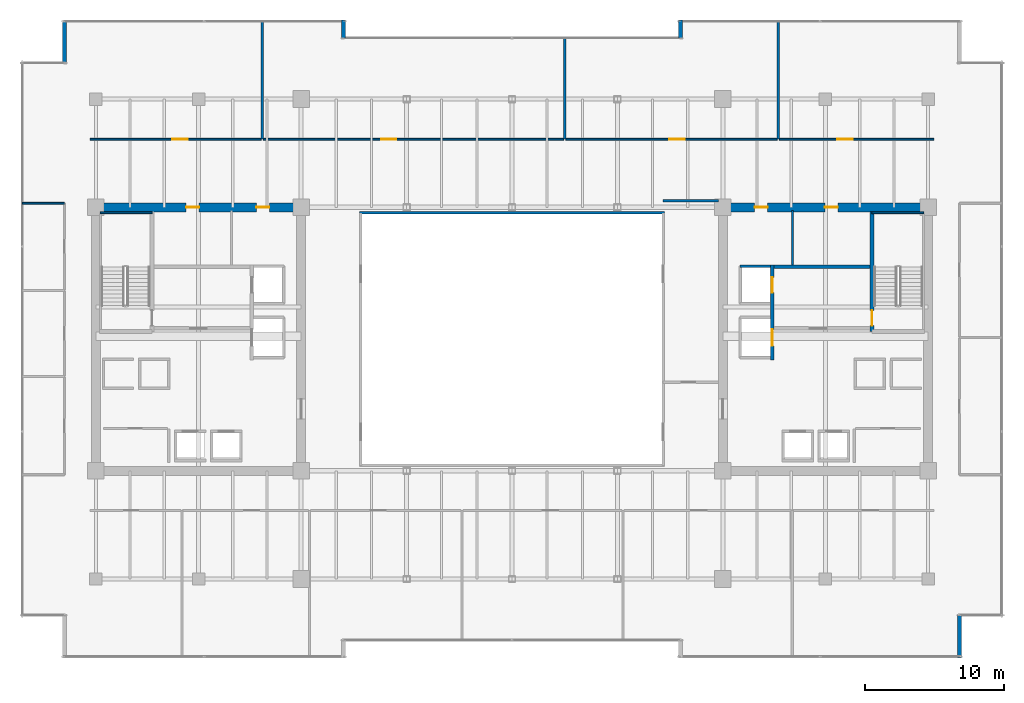
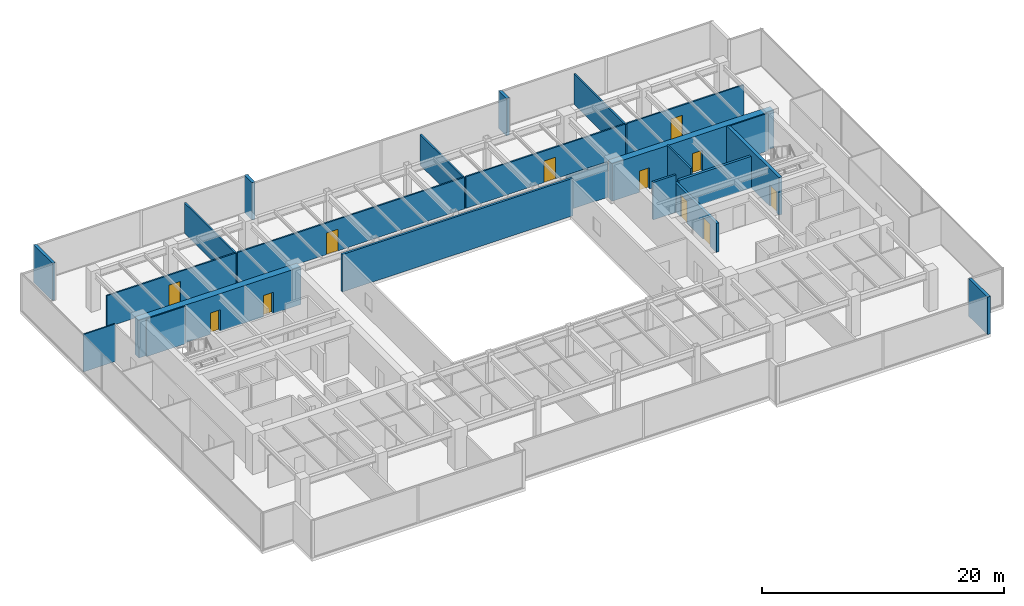
# One storey, part 27 of 30: 23 walls, 11 doors, 11 openings.
"""IFC4 building model written with IfcOpenShell, lengths in metres."""

from ifc_helpers import new_model, si_unit, direction, frame, frame_2d, origin, place, context, subcontext, project, spatial, rectangle, extrude, source, transform, mapped, material, layer, layer_set, type_object, type_shapes, element, fill, save


model = new_model("IFC4")

# Units and contexts
model_context = context("Model", 3, precision=1e-05, world=origin(), true_north=direction((0.0, 1.0)))
body_context = subcontext(model_context, "Body", "Model", "MODEL_VIEW")
ifc_project = project(units=[si_unit("LENGTHUNIT", "METRE"), si_unit("AREAUNIT", "SQUARE_METRE"), si_unit("VOLUMEUNIT", "CUBIC_METRE"), si_unit("PLANEANGLEUNIT", "RADIAN"), si_unit("MASSUNIT", "GRAM", prefix="KILO")], contexts=[model_context])

# Site, building, storey
site_placement = place(None, origin())
site = spatial("IfcSite", under=ifc_project, at=site_placement, CompositionType="ELEMENT")
building_placement = place(site_placement, origin())
building = spatial("IfcBuilding", under=site, at=building_placement, Name="Haelvirn Gate Laboratories", CompositionType="ELEMENT")
storey_placement = place(building_placement, frame((0.0, 0.0, 162.5)))
storey = spatial("IfcBuildingStorey", under=building, at=storey_placement, Name="L39", CompositionType="ELEMENT", Elevation=162.5)

# Walls
ifc_material_1 = material(Name="Thermally-broken bronze aluminium rainscreen & mineral wool", Category="aluminium")
ifc_layer_1 = layer(ifc_material_1, 0.280029296875, Name="EW-TERR-280")
ifc_layer_set_1 = layer_set([ifc_layer_1], Name="Thermally-broken bronze aluminium rainscreen & mineral wool")
wall_type_1 = type_object("IfcWallType", Name="EW-TERR-280", PredefinedType="STANDARD", material=ifc_layer_set_1)
wall_1_placement = place(storey_placement, frame((69.659912109375, 1.300048828125, 0.0), z_axis=(0.0, 0.0, 1.0), x_axis=(0.0, 1.0, 0.0)))
element("IfcWall", 1, at=wall_1_placement, inside=storey, type_object=wall_type_1, Name="L39 Atrium Recess Bronze Return Wall 05", PredefinedType="STANDARD", context=body_context, shape_type="SweptSolid", body=[
    extrude(rectangle(XDim=3.087890625, YDim=0.280029296875, at=frame_2d((1.5439453125, 0.0))), origin(), (0.0, 0.0, 1.0), 3.7900390625),
])
for number, where, z_axis, x_axis, name in (
    (2, (49.5400390625, 47.300048828125, 0.0), (0.0, 0.0, 1.0), (0.0, -1.0, 0.0), "L39 Atrium Recess Bronze Return Wall 11"),
    (3, (25.260009765625, 46.011962890625, 0.0), (0.0, 0.0, 1.0), (0.0, 1.0, 0.0), "L39 Atrium Recess Bronze Return Wall 13"),
):
    element("IfcWall", number, at=place(storey_placement, frame(where, z_axis=z_axis, x_axis=x_axis)), inside=storey, type_object=wall_type_1, Name=name, PredefinedType="STANDARD", context=body_context, shape_type="SweptSolid", body=[
        extrude(rectangle(XDim=1.2880859375, YDim=0.280029296875, at=frame_2d((0.64404296875, 0.0))), origin(), (0.0, 0.0, 1.0), 3.7900390625),
    ])
wall_2_placement = place(storey_placement, frame((5.139892578125, 47.300048828125, 0.0), z_axis=(0.0, 0.0, 1.0), x_axis=(0.0, -1.0, 0.0)))
element("IfcWall", 4, at=wall_2_placement, inside=storey, type_object=wall_type_1, Name="L39 Atrium Recess Bronze Return Wall 15", PredefinedType="STANDARD", context=body_context, shape_type="SweptSolid", body=[
    extrude(rectangle(XDim=3.088134765625, YDim=0.280029296875, at=frame_2d((1.5439453125, 0.0))), origin(), (0.0, 0.0, 1.0), 3.7900390625),
])
ifc_material_2 = material(Name="Double-layer acoustic gypsum laboratory partition", Category="gypsum")
ifc_layer_2 = layer(ifc_material_2, 0.159912109375, Name="IW-ACOUST-160")
ifc_layer_set_2 = layer_set([ifc_layer_2], Name="Double-layer acoustic gypsum laboratory partition")
wall_type_2 = type_object("IfcWallType", Name="IW-ACOUST-160", PredefinedType="PARTITIONING", material=ifc_layer_set_2)
wall_3_placement = place(storey_placement, frame((19.39990234375, 38.705078125, 0.0), z_axis=(0.0, 0.0, 1.0), x_axis=(0.0, 1.0, 0.0)))
element("IfcWall", 5, at=wall_3_placement, inside=storey, type_object=wall_type_2, Name="L39 Interior Wall IW-L39-NDIV-01", PredefinedType="PARTITIONING", context=body_context, shape_type="SweptSolid", body=[
    extrude(rectangle(XDim=8.48486328125, YDim=0.159912109375, at=frame_2d((4.242431640625, 0.0))), origin(), (0.0, 0.0, 1.0), 3.074951171875),
])
wall_4_placement = place(storey_placement, frame((41.199951171875, 38.705078125, 0.0), z_axis=(0.0, 0.0, 1.0), x_axis=(0.0, 1.0, 0.0)))
element("IfcWall", 6, at=wall_4_placement, inside=storey, type_object=wall_type_2, Name="L39 Interior Wall IW-L39-NDIV-02", PredefinedType="PARTITIONING", context=body_context, shape_type="SweptSolid", body=[
    extrude(rectangle(XDim=7.284912109375, YDim=0.159912109375, at=frame_2d((3.642578125, 0.0))), origin(), (0.0, 0.0, 1.0), 3.074951171875),
])
wall_5_placement = place(storey_placement, frame((56.60009765625, 38.705078125, 0.0), z_axis=(0.0, 0.0, 1.0), x_axis=(0.0, 1.0, 0.0)))
element("IfcWall", 7, at=wall_5_placement, inside=storey, type_object=wall_type_2, Name="L39 Interior Wall IW-L39-NDIV-03", PredefinedType="PARTITIONING", context=body_context, shape_type="SweptSolid", body=[
    extrude(rectangle(XDim=8.48486328125, YDim=0.159912109375, at=frame_2d((4.242431640625, 0.0))), origin(), (0.0, 0.0, 1.0), 3.074951171875),
])
ifc_material_3 = material(Name="Fire-rated acoustic gypsum board partition", Category="gypsum")
ifc_layer_3 = layer(ifc_material_3, 0.175048828125, Name="IW-ACOUST-180")
ifc_layer_set_3 = layer_set([ifc_layer_3], Name="Fire-rated acoustic gypsum board partition")
wall_type_3 = type_object("IfcWallType", Name="IW-ACOUST-180", PredefinedType="PARTITIONING", material=ifc_layer_set_3)
wall_6_placement = place(storey_placement, frame((48.300048828125, 34.260009765625, 0.0), z_axis=(0.0, 0.0, 1.0), x_axis=(1.0, 0.0, 0.0)))
element("IfcWall", 8, at=wall_6_placement, inside=storey, type_object=wall_type_3, Name="L39 Interior Wall IW-L39-ASEM-N", PredefinedType="PARTITIONING", context=body_context, shape_type="SweptSolid", body=[
    extrude(rectangle(XDim=3.974853515625, YDim=0.175048828125, at=frame_2d((1.9873046875, 0.0))), origin(), (0.0, 0.0, 1.0), 3.47509765625),
])
ifc_material_4 = material(Name="Tempered fire-rated borosilicate glass & anodised aluminium", Category="aluminium")
ifc_layer_4 = layer(ifc_material_4, 0.195068359375, Name="IW-GLAZ-200")
ifc_layer_set_4 = layer_set([ifc_layer_4], Name="Tempered fire-rated borosilicate glass & anodised aluminium")
wall_type_4 = type_object("IfcWallType", Name="IW-GLAZ-200", PredefinedType="SOLIDWALL", material=ifc_layer_set_4)
wall_7_placement = place(storey_placement, frame((26.39990234375, 33.39990234375, 0.0), z_axis=(0.0, 0.0, 1.0), x_axis=(1.0, 0.0, 0.0)))
element("IfcWall", 9, at=wall_7_placement, inside=storey, type_object=wall_type_4, Name="L39 Interior Wall IW-L39-ATRIUM-N", PredefinedType="SOLIDWALL", context=body_context, shape_type="SweptSolid", body=[
    extrude(rectangle(XDim=22.0, YDim=0.195068359375, at=frame_2d((11.0, 0.0))), origin(), (0.0, 0.0, 1.0), 3.7900390625),
])
ifc_material_5 = material(Name="Lightweight acoustic gypsum board partition", Category="gypsum")
ifc_layer_5 = layer(ifc_material_5, 0.1201171875, Name="IW-PART-120")
ifc_layer_set_5 = layer_set([ifc_layer_5], Name="Lightweight acoustic gypsum board partition")
wall_type_5 = type_object("IfcWallType", Name="IW-PART-120", PredefinedType="PARTITIONING", material=ifc_layer_set_5)
wall_8_placement = place(storey_placement, frame((2.110107421875, 34.0849609375, 0.0), z_axis=(0.0, 0.0, 1.0), x_axis=(1.0, 0.0, 0.0)))
element("IfcWall", 10, at=wall_8_placement, inside=storey, type_object=wall_type_5, Name="L39 Interior Wall IW-L39-WCAP-N", PredefinedType="PARTITIONING", context=body_context, shape_type="SweptSolid", body=[
    extrude(rectangle(XDim=3.019775390625, YDim=0.1201171875, at=frame_2d((1.509765625, 0.0))), origin(), (0.0, 0.0, 1.0), 3.7900390625),
])

# Wall, opening, door
ifc_material_6 = material(Name="Acoustic mineral-wool gypsum board partition", Category="gypsum")
ifc_layer_6 = layer(ifc_material_6, 0.139892578125, Name="IW-PART-140")
ifc_layer_set_6 = layer_set([ifc_layer_6], Name="Acoustic mineral-wool gypsum board partition")
wall_type_6 = type_object("IfcWallType", Name="IW-PART-140", PredefinedType="PARTITIONING", material=ifc_layer_set_6)
wall_9_placement = place(storey_placement, frame((6.97998046875, 38.705078125, 0.0), z_axis=(0.0, 0.0, 1.0), x_axis=(1.0, 0.0, 0.0)))
wall_9 = element("IfcWall", 11, at=wall_9_placement, inside=storey, type_object=wall_type_6, Name="L39 Interior Wall IW-L39-NCORR-01", PredefinedType="PARTITIONING", context=body_context, shape_type="SweptSolid", body=[
    extrude(rectangle(XDim=12.340087890625, YDim=0.139892578125, at=frame_2d((6.169921875, 0.0))), origin(), (0.0, 0.0, 1.0), 3.18701171875),
])
opening_1_placement = place(wall_9_placement, frame((5.936279296875, 0.0, 0.0)))
opening_1 = element("IfcOpeningElement", 12, at=opening_1_placement, cuts=wall_9, Name="Opening D1", PredefinedType="OPENING", context=body_context, shape_type="SweptSolid", body=[
    extrude(rectangle(XDim=1.10009765625, YDim=2.179931640625, at=frame_2d((0.550048828125, 1.08984375))), frame((0.0, 0.080078125, 0.0), z_axis=(0.0, -1.0, 0.0), x_axis=(1.0, 0.0, 0.0)), (0.0, 0.0, 1.0), 0.159912109375),
])
ifc_material_7 = material(Name="Vision-panel acoustic solid-core timber lab door", Category="wood")
door_type_1 = type_object("IfcDoorType", Name="DR-LAB-1100", OperationType="NOTDEFINED", PredefinedType="DOOR", material=ifc_material_7)
shared_shape_1 = source(origin(), body_context, "Body", "SweptSolid", [
    extrude(rectangle(XDim=1.10009765625, YDim=2.179931640625, at=frame_2d((0.550048828125, 1.08984375))), frame((0.0, 0.02490234375, 0.0), z_axis=(0.0, -1.0, 0.0), x_axis=(1.0, 0.0, 0.0)), (0.0, 0.0, 1.0), 0.050048828125),
])
type_shapes(door_type_1, [shared_shape_1])
door_1_placement = place(opening_1_placement, origin())
door_1 = element("IfcDoor", 13, at=door_1_placement, inside=storey, type_object=door_type_1, Name="L39 Analytical Instrument Suite Door N1", OperationType="SINGLE_SWING_LEFT", OverallHeight=2.179931640625, OverallWidth=1.10009765625, PredefinedType="DOOR", context=body_context, shape_type="MappedRepresentation", body=[
    mapped(shared_shape_1, transform((0.0, 0.0, 0.0), scale=1.0)),
])
fill(opening_1, door_1)

wall_10_placement = place(storey_placement, frame((19.47998046875, 38.705078125, 0.0), z_axis=(0.0, 0.0, 1.0), x_axis=(1.0, 0.0, 0.0)))
wall_10 = element("IfcWall", 14, at=wall_10_placement, inside=storey, type_object=wall_type_6, Name="L39 Interior Wall IW-L39-NCORR-02", PredefinedType="PARTITIONING", context=body_context, shape_type="SweptSolid", body=[
    extrude(rectangle(XDim=21.64013671875, YDim=0.139892578125, at=frame_2d((10.820068359375, 0.0))), origin(), (0.0, 0.0, 1.0), 3.18701171875),
])
opening_2_placement = place(wall_10_placement, frame((8.484375, 0.0, 0.0)))
opening_2 = element("IfcOpeningElement", 15, at=opening_2_placement, cuts=wall_10, Name="Opening D1", PredefinedType="OPENING", context=body_context, shape_type="SweptSolid", body=[
    extrude(rectangle(XDim=1.10009765625, YDim=2.179931640625, at=frame_2d((0.550048828125, 1.08984375))), frame((0.0, 0.080078125, 0.0), z_axis=(0.0, -1.0, 0.0), x_axis=(1.0, 0.0, 0.0)), (0.0, 0.0, 1.0), 0.159912109375),
])
door_2_placement = place(opening_2_placement, origin())
door_2 = element("IfcDoor", 16, at=door_2_placement, inside=storey, type_object=door_type_1, Name="L39 Cleanroom Metrology Suite Door N2", OperationType="SINGLE_SWING_RIGHT", OverallHeight=2.179931640625, OverallWidth=1.10009765625, PredefinedType="DOOR", context=body_context, shape_type="MappedRepresentation", body=[
    mapped(shared_shape_1, transform((0.0, 0.0, 0.0), scale=1.0)),
])
fill(opening_2, door_2)

wall_11_placement = place(storey_placement, frame((41.280029296875, 38.705078125, 0.0), z_axis=(0.0, 0.0, 1.0), x_axis=(1.0, 0.0, 0.0)))
wall_11 = element("IfcWall", 17, at=wall_11_placement, inside=storey, type_object=wall_type_6, Name="L39 Interior Wall IW-L39-NCORR-03", PredefinedType="PARTITIONING", context=body_context, shape_type="SweptSolid", body=[
    extrude(rectangle(XDim=15.239990234375, YDim=0.139892578125, at=frame_2d((7.6201171875, 0.0))), origin(), (0.0, 0.0, 1.0), 3.18701171875),
])
opening_3_placement = place(wall_11_placement, frame((7.47314453125, 0.0, 0.0)))
opening_3 = element("IfcOpeningElement", 18, at=opening_3_placement, cuts=wall_11, Name="Opening D1", PredefinedType="OPENING", context=body_context, shape_type="SweptSolid", body=[
    extrude(rectangle(XDim=1.10009765625, YDim=2.179931640625, at=frame_2d((0.550048828125, 1.08984375))), frame((0.0, 0.080078125, 0.0), z_axis=(0.0, -1.0, 0.0), x_axis=(1.0, 0.0, 0.0)), (0.0, 0.0, 1.0), 0.159912109375),
])
door_3_placement = place(opening_3_placement, origin())
door_3 = element("IfcDoor", 19, at=door_3_placement, inside=storey, type_object=door_type_1, Name="L39 Researcher Break Pantry Door N3", OperationType="SINGLE_SWING_LEFT", OverallHeight=2.179931640625, OverallWidth=1.10009765625, PredefinedType="DOOR", context=body_context, shape_type="MappedRepresentation", body=[
    mapped(shared_shape_1, transform((0.0, 0.0, 0.0), scale=1.0)),
])
fill(opening_3, door_3)

wall_12_placement = place(storey_placement, frame((56.679931640625, 38.705078125, 0.0), z_axis=(0.0, 0.0, 1.0), x_axis=(1.0, 0.0, 0.0)))
wall_12 = element("IfcWall", 20, at=wall_12_placement, inside=storey, type_object=wall_type_6, Name="L39 Interior Wall IW-L39-NCORR-04", PredefinedType="PARTITIONING", context=body_context, shape_type="SweptSolid", body=[
    extrude(rectangle(XDim=11.14013671875, YDim=0.139892578125, at=frame_2d((5.570068359375, 0.0))), origin(), (0.0, 0.0, 1.0), 3.18701171875),
])
opening_4_placement = place(wall_12_placement, frame((4.179443359375, 0.0, 0.0)))
opening_4 = element("IfcOpeningElement", 21, at=opening_4_placement, cuts=wall_12, Name="Opening D1", PredefinedType="OPENING", context=body_context, shape_type="SweptSolid", body=[
    extrude(rectangle(XDim=1.10009765625, YDim=2.179931640625, at=frame_2d((0.550048828125, 1.08984375))), frame((0.0, 0.080078125, 0.0), z_axis=(0.0, -1.0, 0.0), x_axis=(1.0, 0.0, 0.0)), (0.0, 0.0, 1.0), 0.159912109375),
])
door_4_placement = place(opening_4_placement, origin())
door_4 = element("IfcDoor", 22, at=door_4_placement, inside=storey, type_object=door_type_1, Name="L39 Floor Hydration & Tea Servery Door N4", OperationType="SINGLE_SWING_RIGHT", OverallHeight=2.179931640625, OverallWidth=1.10009765625, PredefinedType="DOOR", context=body_context, shape_type="MappedRepresentation", body=[
    mapped(shared_shape_1, transform((0.0, 0.0, 0.0), scale=1.0)),
])
fill(opening_4, door_4)

# Walls
ifc_material_8 = material(Name="Cement-board restroom plumbing chase wall", Category="gypsum")
ifc_layer_7 = layer(ifc_material_8, 0.155029296875, Name="IW-PLUMB-160")
ifc_layer_set_7 = layer_set([ifc_layer_7], Name="Cement-board restroom plumbing chase wall")
wall_type_7 = type_object("IfcWallType", Name="IW-PLUMB-160", PredefinedType="PLUMBINGWALL", material=ifc_layer_set_7)
wall_13_placement = place(storey_placement, frame((57.610107421875, 29.64990234375, 0.0), z_axis=(0.0, 0.0, 1.0), x_axis=(0.0, 1.0, 0.0)))
element("IfcWall", 23, at=wall_13_placement, inside=storey, type_object=wall_type_7, Name="L39 Interior Wall IW-L39-E-CDIV-1", PredefinedType="PLUMBINGWALL", context=body_context, shape_type="SweptSolid", body=[
    extrude(rectangle(XDim=3.93017578125, YDim=0.155029296875, at=frame_2d((1.965087890625, 0.0))), origin(), (0.0, 0.0, 1.0), 3.7900390625),
])
ifc_material_9 = material(Name="Concrete C40/50", Category="concrete")
ifc_layer_8 = layer(ifc_material_9, 0.199951171875, Name="IW-SHAFT-200")
ifc_layer_set_8 = layer_set([ifc_layer_8], Name="Concrete C40/50")
wall_type_8 = type_object("IfcWallType", Name="IW-SHAFT-200", PredefinedType="SOLIDWALL", material=ifc_layer_set_8)
wall_14_placement = place(storey_placement, frame((53.85009765625, 29.550048828125, 0.0), z_axis=(0.0, 0.0, 1.0), x_axis=(1.0, 0.0, 0.0)))
element("IfcWall", 24, at=wall_14_placement, inside=storey, type_object=wall_type_8, Name="L39 Interior Wall IW-L39-FL2-N", PredefinedType="SOLIDWALL", context=body_context, shape_type="SweptSolid", body=[
    extrude(rectangle(XDim=2.18994140625, YDim=0.199951171875, at=frame_2d((1.094970703125, 0.0))), origin(), (0.0, 0.0, 1.0), 3.7900390625),
])
ifc_layer_9 = layer(ifc_material_9, 0.239990234375, Name="IW-SHAFT-240")
ifc_layer_set_9 = layer_set([ifc_layer_9], Name="Concrete C40/50")
wall_type_9 = type_object("IfcWallType", Name="IW-SHAFT-240", PredefinedType="SOLIDWALL", material=ifc_layer_set_9)
wall_15_placement = place(storey_placement, frame((56.280029296875, 29.52001953125, 0.0), z_axis=(0.0, 0.0, 1.0), x_axis=(1.0, 0.0, 0.0)))
element("IfcWall", 25, at=wall_15_placement, inside=storey, type_object=wall_type_9, Name="L39 Interior Wall IW-L39-E-FF-N", PredefinedType="SOLIDWALL", context=body_context, shape_type="SweptSolid", body=[
    extrude(rectangle(XDim=6.919921875, YDim=0.239990234375, at=frame_2d((3.4599609375, 0.0))), origin(), (0.0, 0.0, 1.0), 3.18701171875),
])

# Wall, openings, doors
wall_16_placement = place(storey_placement, frame((56.159912109375, 22.800048828125, 0.0), z_axis=(0.0, 0.0, 1.0), x_axis=(0.0, 1.0, 0.0)))
wall_16 = element("IfcWall", 26, at=wall_16_placement, inside=storey, type_object=wall_type_9, Name="L39 Interior Wall IW-L39-E-FF-E", PredefinedType="SOLIDWALL", context=body_context, shape_type="SweptSolid", body=[
    extrude(rectangle(XDim=6.849853515625, YDim=0.239990234375, at=frame_2d((3.4248046875, 0.0))), origin(), (0.0, 0.0, 1.0), 2.925048828125),
])
opening_5_placement = place(wall_16_placement, frame((4.85009765625, 0.0, 0.0)))
opening_5 = element("IfcOpeningElement", 27, at=opening_5_placement, cuts=wall_16, Name="Opening LD2", PredefinedType="OPENING", context=body_context, shape_type="SweptSolid", body=[
    extrude(rectangle(XDim=1.10009765625, YDim=2.219970703125, at=frame_2d((0.550048828125, 1.10986328125))), frame((0.0, 0.1298828125, 0.0), z_axis=(0.0, -1.0, 0.0), x_axis=(1.0, 0.0, 0.0)), (0.0, 0.0, 1.0), 0.260009765625),
])
opening_6_placement = place(wall_16_placement, frame((1.0, 0.0, 0.0)))
opening_6 = element("IfcOpeningElement", 28, at=opening_6_placement, cuts=wall_16, Name="Opening LD1", PredefinedType="OPENING", context=body_context, shape_type="SweptSolid", body=[
    extrude(rectangle(XDim=1.199951171875, YDim=2.219970703125, at=frame_2d((0.60009765625, 1.10986328125))), frame((0.0, 0.1298828125, 0.0), z_axis=(0.0, -1.0, 0.0), x_axis=(1.0, 0.0, 0.0)), (0.0, 0.0, 1.0), 0.260009765625),
])
ifc_material_10 = material(Name="Bronze stainless 316L sliding lift landing door")
door_type_2 = type_object("IfcDoorType", Name="DR-LD-1100", OperationType="NOTDEFINED", PredefinedType="USERDEFINED", material=ifc_material_10)
shared_shape_2 = source(origin(), body_context, "Body", "SweptSolid", [
    extrude(rectangle(XDim=1.10009765625, YDim=2.219970703125, at=frame_2d((0.550048828125, 1.10986328125))), frame((0.0, 0.02490234375, 0.0), z_axis=(0.0, -1.0, 0.0), x_axis=(1.0, 0.0, 0.0)), (0.0, 0.0, 1.0), 0.050048828125),
])
type_shapes(door_type_2, [shared_shape_2])
door_5_placement = place(opening_5_placement, origin())
door_5 = element("IfcDoor", 29, at=door_5_placement, inside=storey, type_object=door_type_2, Name="L39 Firefighting Lift FL2 Landing Door", ObjectType="LANDING_DOOR", OperationType="SLIDING_TO_RIGHT", OverallHeight=2.219970703125, OverallWidth=1.10009765625, PredefinedType="USERDEFINED", context=body_context, shape_type="MappedRepresentation", body=[
    mapped(shared_shape_2, transform((0.0, 0.0, 0.0), scale=1.0)),
])
fill(opening_5, door_5)
ifc_material_11 = material(Name="Stainless steel 316L sliding goods landing door", Category="steel")
door_type_3 = type_object("IfcDoorType", Name="DR-LD-1200", OperationType="NOTDEFINED", PredefinedType="USERDEFINED", material=ifc_material_11)
shared_shape_3 = source(origin(), body_context, "Body", "SweptSolid", [
    extrude(rectangle(XDim=1.199951171875, YDim=2.219970703125, at=frame_2d((0.60009765625, 1.10986328125))), frame((0.0, 0.02490234375, 0.0), z_axis=(0.0, -1.0, 0.0), x_axis=(1.0, 0.0, 0.0)), (0.0, 0.0, 1.0), 0.050048828125),
])
type_shapes(door_type_3, [shared_shape_3])
door_6_placement = place(opening_6_placement, origin())
door_6 = element("IfcDoor", 30, at=door_6_placement, inside=storey, type_object=door_type_3, Name="L39 Service Lift SL2 Landing Door", ObjectType="LANDING_DOOR", OperationType="SLIDING_TO_LEFT", OverallHeight=2.219970703125, OverallWidth=1.199951171875, PredefinedType="USERDEFINED", context=body_context, shape_type="MappedRepresentation", body=[
    mapped(shared_shape_3, transform((0.0, 0.0, 0.0), scale=1.0)),
])
fill(opening_6, door_6)

ifc_material_12 = material(Name="Concrete C60/75", Category="concrete")
ifc_layer_10 = layer(ifc_material_12, 0.64990234375, Name="SW-CORE-650")
ifc_layer_set_10 = layer_set([ifc_layer_10], Name="Concrete C60/75")
wall_type_10 = type_object("IfcWallType", Name="SW-CORE-650", PredefinedType="SHEAR", material=ifc_layer_set_10)
wall_17_placement = place(storey_placement, frame((7.074951171875, 33.800048828125, 0.0), z_axis=(0.0, 0.0, 1.0), x_axis=(1.0, 0.0, 0.0)))
wall_17 = element("IfcWall", 31, at=wall_17_placement, inside=storey, type_object=wall_type_10, Name="L39 W Core Shear Wall N", PredefinedType="SHEAR", context=body_context, shape_type="SweptSolid", body=[
    extrude(rectangle(XDim=15.449951171875, YDim=0.64990234375, at=frame_2d((7.72509765625, 0.0))), origin(), (0.0, 0.0, 1.0), 3.7900390625),
])
opening_7_placement = place(wall_17_placement, frame((6.824951171875, 0.0, 0.0)))
opening_7 = element("IfcOpeningElement", 32, at=opening_7_placement, cuts=wall_17, Name="Opening FD4", PredefinedType="OPENING", context=body_context, shape_type="SweptSolid", body=[
    extrude(rectangle(XDim=0.949951171875, YDim=2.14990234375, at=frame_2d((0.47509765625, 1.074951171875))), frame((0.0, 0.3349609375, 0.0), z_axis=(0.0, -1.0, 0.0), x_axis=(1.0, 0.0, 0.0)), (0.0, 0.0, 1.0), 0.669921875),
])
opening_8_placement = place(wall_17_placement, frame((11.889892578125, 0.0, 0.0)))
opening_8 = element("IfcOpeningElement", 33, at=opening_8_placement, cuts=wall_17, Name="Opening FD4", PredefinedType="OPENING", context=body_context, shape_type="SweptSolid", body=[
    extrude(rectangle(XDim=0.949951171875, YDim=2.14990234375, at=frame_2d((0.47509765625, 1.074951171875))), frame((0.0, 0.3349609375, 0.0), z_axis=(0.0, -1.0, 0.0), x_axis=(1.0, 0.0, 0.0)), (0.0, 0.0, 1.0), 0.669921875),
])
ifc_material_13 = material(Name="Fire-rated steel SM355 core service door", Category="steel")
door_type_4 = type_object("IfcDoorType", Name="DR-FD-950", OperationType="NOTDEFINED", PredefinedType="DOOR", material=ifc_material_13)
shared_shape_4 = source(origin(), body_context, "Body", "SweptSolid", [
    extrude(rectangle(XDim=0.949951171875, YDim=2.14990234375, at=frame_2d((0.47509765625, 1.074951171875))), frame((0.0, 0.02490234375, 0.0), z_axis=(0.0, -1.0, 0.0), x_axis=(1.0, 0.0, 0.0)), (0.0, 0.0, 1.0), 0.050048828125),
])
type_shapes(door_type_4, [shared_shape_4])
door_7_placement = place(opening_7_placement, origin())
door_7 = element("IfcDoor", 34, at=door_7_placement, inside=storey, type_object=door_type_4, Name="L39 All-Gender Multi-Stall Restroom Fire Door", OperationType="SINGLE_SWING_RIGHT", OverallHeight=2.14990234375, OverallWidth=0.949951171875, PredefinedType="DOOR", context=body_context, shape_type="MappedRepresentation", body=[
    mapped(shared_shape_4, transform((0.0, 0.0, 0.0), scale=1.0)),
])
fill(opening_7, door_7)
door_8_placement = place(opening_8_placement, origin())
door_8 = element("IfcDoor", 35, at=door_8_placement, inside=storey, type_object=door_type_4, Name="L39 Accessible Restroom Fire Door", OperationType="SINGLE_SWING_LEFT", OverallHeight=2.14990234375, OverallWidth=0.949951171875, PredefinedType="DOOR", context=body_context, shape_type="MappedRepresentation", body=[
    mapped(shared_shape_4, transform((0.0, 0.0, 0.0), scale=1.0)),
])
fill(opening_8, door_8)

wall_18_placement = place(storey_placement, frame((52.27490234375, 33.800048828125, 0.0), z_axis=(0.0, 0.0, 1.0), x_axis=(1.0, 0.0, 0.0)))
wall_18 = element("IfcWall", 36, at=wall_18_placement, inside=storey, type_object=wall_type_10, Name="L39 E Core Shear Wall N", PredefinedType="SHEAR", context=body_context, shape_type="SweptSolid", body=[
    extrude(rectangle(XDim=15.4501953125, YDim=0.64990234375, at=frame_2d((7.72509765625, 0.0))), origin(), (0.0, 0.0, 1.0), 3.7900390625),
])
opening_9_placement = place(wall_18_placement, frame((7.675048828125, 0.0, 0.0)))
opening_9 = element("IfcOpeningElement", 37, at=opening_9_placement, cuts=wall_18, Name="Opening FD4", PredefinedType="OPENING", context=body_context, shape_type="SweptSolid", body=[
    extrude(rectangle(XDim=0.949951171875, YDim=2.14990234375, at=frame_2d((0.47509765625, 1.074951171875))), frame((0.0, 0.3349609375, 0.0), z_axis=(0.0, -1.0, 0.0), x_axis=(1.0, 0.0, 0.0)), (0.0, 0.0, 1.0), 0.669921875),
])
opening_10_placement = place(wall_18_placement, frame((2.610107421875, 0.0, 0.0)))
opening_10 = element("IfcOpeningElement", 38, at=opening_10_placement, cuts=wall_18, Name="Opening FD4", PredefinedType="OPENING", context=body_context, shape_type="SweptSolid", body=[
    extrude(rectangle(XDim=0.949951171875, YDim=2.14990234375, at=frame_2d((0.47509765625, 1.074951171875))), frame((0.0, 0.3349609375, 0.0), z_axis=(0.0, -1.0, 0.0), x_axis=(1.0, 0.0, 0.0)), (0.0, 0.0, 1.0), 0.669921875),
])
door_9_placement = place(opening_9_placement, origin())
door_9 = element("IfcDoor", 39, at=door_9_placement, inside=storey, type_object=door_type_4, Name="L39 All-Gender Multi-Stall Restroom Fire Door", OperationType="SINGLE_SWING_RIGHT", OverallHeight=2.14990234375, OverallWidth=0.949951171875, PredefinedType="DOOR", context=body_context, shape_type="MappedRepresentation", body=[
    mapped(shared_shape_4, transform((0.0, 0.0, 0.0), scale=1.0)),
])
fill(opening_9, door_9)
door_10_placement = place(opening_10_placement, origin())
door_10 = element("IfcDoor", 40, at=door_10_placement, inside=storey, type_object=door_type_4, Name="L39 Accessible Restroom Fire Door", OperationType="SINGLE_SWING_LEFT", OverallHeight=2.14990234375, OverallWidth=0.949951171875, PredefinedType="DOOR", context=body_context, shape_type="MappedRepresentation", body=[
    mapped(shared_shape_4, transform((0.0, 0.0, 0.0), scale=1.0)),
])
fill(opening_10, door_10)

# Walls
ifc_material_14 = material(Name="Concrete C50/60", Category="concrete")
ifc_layer_11 = layer(ifc_material_14, 0.1201171875, Name="SW-LINER-120")
ifc_layer_set_11 = layer_set([ifc_layer_11], Name="Concrete C50/60")
wall_type_11 = type_object("IfcWallType", Name="SW-LINER-120", PredefinedType="SOLIDWALL", material=ifc_layer_set_11)
for number, where, z_axis, x_axis, name in (
    (41, (7.72998046875, 33.39990234375, 0.0), (0.0, 0.0, 1.0), (1.0, 0.0, 0.0), "L39 W Core Stair Shaft Liner Wall N"),
    (42, (63.35009765625, 33.39990234375, 0.0), (0.0, 0.0, 1.0), (1.0, 0.0, 0.0), "L39 E Core Stair Shaft Liner Wall N"),
):
    element("IfcWall", number, at=place(storey_placement, frame(where, z_axis=z_axis, x_axis=x_axis)), inside=storey, type_object=wall_type_11, Name=name, PredefinedType="SOLIDWALL", context=body_context, shape_type="SweptSolid", body=[
        extrude(rectangle(XDim=3.719970703125, YDim=0.1201171875, at=frame_2d((1.85986328125, 0.0))), origin(), (0.0, 0.0, 1.0), 3.7900390625),
    ])

# Wall, opening, door
ifc_layer_12 = layer(ifc_material_14, 0.300048828125, Name="SW-STAIR-300")
ifc_layer_set_12 = layer_set([ifc_layer_12], Name="Concrete C50/60")
wall_type_12 = type_object("IfcWallType", Name="SW-STAIR-300", PredefinedType="SHEAR", material=ifc_layer_set_12)
wall_19_placement = place(storey_placement, frame((63.35009765625, 24.85009765625, 0.0), z_axis=(0.0, 0.0, 1.0), x_axis=(0.0, 1.0, 0.0)))
wall_19 = element("IfcWall", 43, at=wall_19_placement, inside=storey, type_object=wall_type_12, Name="L39 E Core Stair Shaft Structural Wall IN", PredefinedType="SHEAR", context=body_context, shape_type="SweptSolid", body=[
    extrude(rectangle(XDim=8.6298828125, YDim=0.300048828125, at=frame_2d((4.31494140625, 0.0))), origin(), (0.0, 0.0, 1.0), 3.7900390625),
])
opening_11_placement = place(wall_19_placement, frame((0.419921875, 0.0, 0.0)))
opening_11 = element("IfcOpeningElement", 44, at=opening_11_placement, cuts=wall_19, Name="Opening FD3", PredefinedType="OPENING", context=body_context, shape_type="SweptSolid", body=[
    extrude(rectangle(XDim=1.10009765625, YDim=2.14990234375, at=frame_2d((0.550048828125, 1.074951171875))), frame((0.0, 0.16015625, 0.0), z_axis=(0.0, -1.0, 0.0), x_axis=(1.0, 0.0, 0.0)), (0.0, 0.0, 1.0), 0.320068359375),
])
ifc_material_15 = material(Name="Fire-rated steel SM355 escape stair door", Category="steel")
door_type_5 = type_object("IfcDoorType", Name="DR-FD-1100", OperationType="NOTDEFINED", PredefinedType="DOOR", material=ifc_material_15)
shared_shape_5 = source(origin(), body_context, "Body", "SweptSolid", [
    extrude(rectangle(XDim=1.10009765625, YDim=2.14990234375, at=frame_2d((0.550048828125, 1.074951171875))), frame((0.0, 0.02490234375, 0.0), z_axis=(0.0, -1.0, 0.0), x_axis=(1.0, 0.0, 0.0)), (0.0, 0.0, 1.0), 0.050048828125),
])
type_shapes(door_type_5, [shared_shape_5])
door_11_placement = place(opening_11_placement, origin())
door_11 = element("IfcDoor", 45, at=door_11_placement, inside=storey, type_object=door_type_5, Name="L39 Escape Stair ST2 Fire Door", OperationType="SINGLE_SWING_RIGHT", OverallHeight=2.14990234375, OverallWidth=1.10009765625, PredefinedType="DOOR", context=body_context, shape_type="MappedRepresentation", body=[
    mapped(shared_shape_5, transform((0.0, 0.0, 0.0), scale=1.0)),
])
fill(opening_11, door_11)

save(model, "model.ifc")
